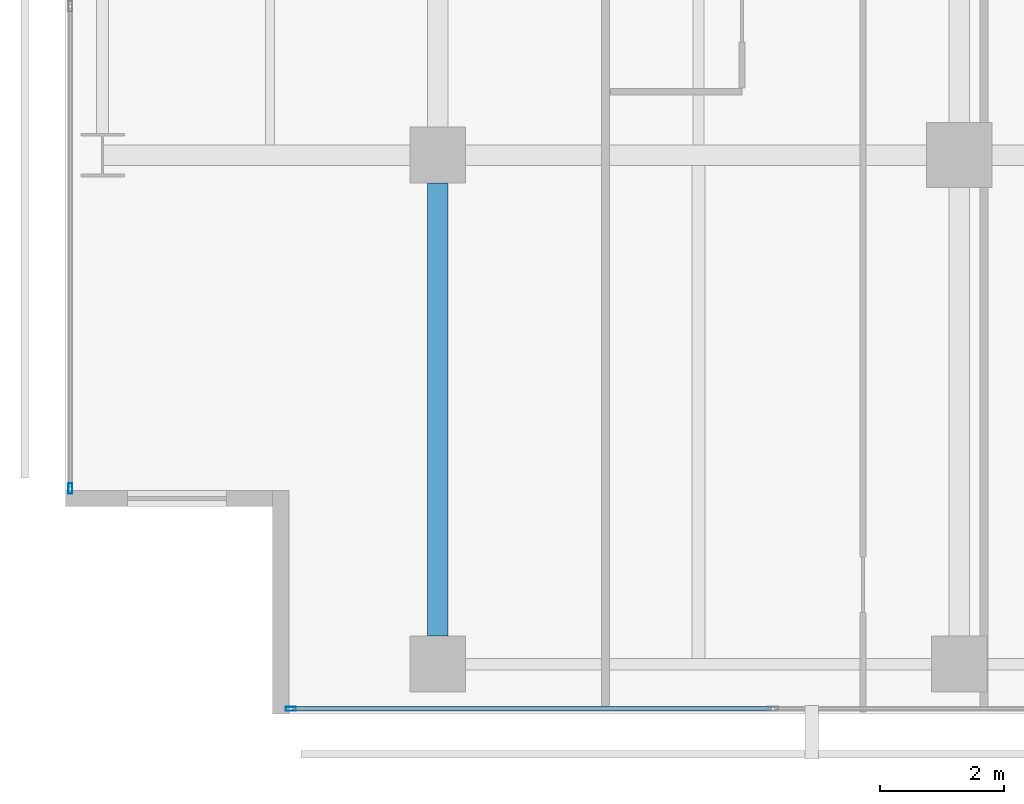
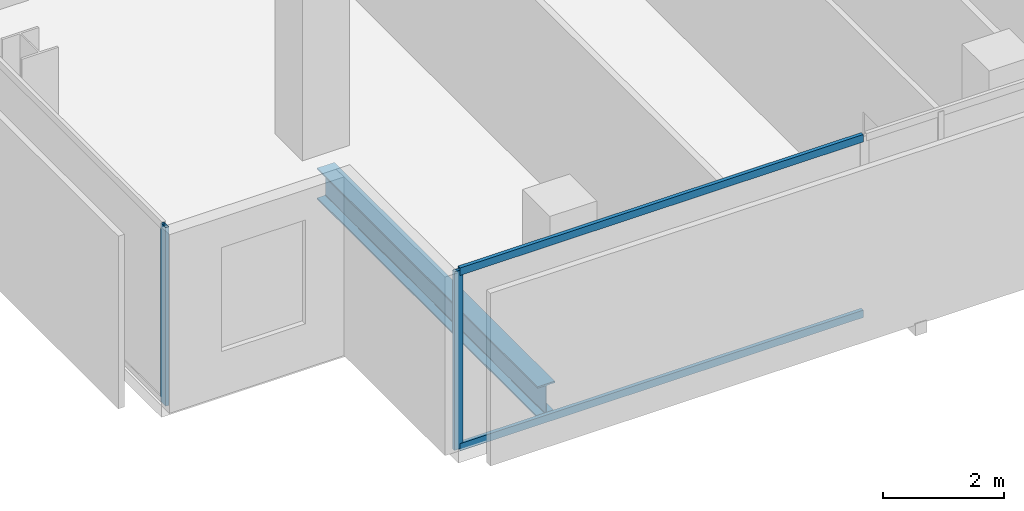
# One storey, part 2 of 40: 4 members, 1 beam, 2 elements without a shape of their own.
"""IFC4 building model written with IfcOpenShell, lengths in metres."""

from ifc_helpers import new_model, si_unit, direction, frame, origin, origin_2d, place, context, subcontext, project, spatial, hollow_rectangle, i_section, extrude, material, layer, layer_set, material_profile, profile_set, type_object, element, aggregate, save


model = new_model("IFC4")

# Units and contexts
model_context = context("Model", 3, precision=1e-05, world=origin(), true_north=direction((0.0, 1.0)))
body_context = subcontext(model_context, "Body", "Model", "MODEL_VIEW")
ifc_project = project(units=[si_unit("LENGTHUNIT", "METRE"), si_unit("AREAUNIT", "SQUARE_METRE"), si_unit("VOLUMEUNIT", "CUBIC_METRE"), si_unit("PLANEANGLEUNIT", "RADIAN"), si_unit("MASSUNIT", "GRAM", prefix="KILO")], contexts=[model_context])

# Site, building, storey
site_placement = place(None, origin())
site = spatial("IfcSite", under=ifc_project, at=site_placement, CompositionType="ELEMENT")
building_placement = place(site_placement, origin())
building = spatial("IfcBuilding", under=site, at=building_placement, Name="Maruvema Waterfront Hotel and Observation Tower", CompositionType="ELEMENT")
storey_placement = place(building_placement, frame((0.0, 0.0, 30.800048828125)))
storey = spatial("IfcBuildingStorey", under=building, at=storey_placement, Name="L06", CompositionType="ELEMENT", Elevation=30.800048828125)

# Curtain wall, members
ifc_material_1 = material(Name="Anodised bronze aluminium and solar-control low-E IGU", Category="aluminium")
ifc_layer = layer(ifc_material_1, 0.159912109375, Name="Zone 1 Bronze Inner Thermal Curtain Wall System CW-02")
ifc_layer_set = layer_set([ifc_layer], Name="Anodised bronze aluminium and solar-control low-E IGU")
curtain_wall_type = type_object("IfcCurtainWallType", Name="Zone 1 Bronze Inner Thermal Curtain Wall System CW-02", PredefinedType="USERDEFINED", material=ifc_layer_set)
curtain_wall_1_placement = place(storey_placement, origin())
curtain_wall_1 = element("IfcCurtainWall", 1, at=curtain_wall_1_placement, inside=storey, type_object=curtain_wall_type, Name="L06 Curtain Wall CW-L06-S", ObjectType="UNITISED CURTAIN WALL", PredefinedType="USERDEFINED")
ifc_material_2 = material(Name="Anodised architectural bronze aluminium", Category="aluminium")
ifc_material_profile_1 = material_profile(ifc_material_2, hollow_rectangle(XDim=0.070068359375, YDim=0.14990234375, WallThickness=0.00390625, at=origin_2d()), Name="ALU-T70x150")
ifc_profile_set_1 = profile_set([ifc_material_profile_1], Name="Anodised architectural bronze aluminium")
member_type_1 = type_object("IfcMemberType", Name="Curtain Wall Horizontal Transom ALU-T70x150", PredefinedType="USERDEFINED", material=ifc_profile_set_1)
member_1_placement = place(storey_placement, frame((14.4599609375, 0.080078125, 0.030029296875), z_axis=(1.0, 0.0, 0.0), x_axis=(0.0, 1.0, 0.0)))
member_1 = element("IfcMember", 2, at=member_1_placement, type_object=member_type_1, Name="CW-02 transom 1.1", ObjectType="TRANSOM", PredefinedType="USERDEFINED", context=body_context, shape_type="SweptSolid", body=[
    extrude(hollow_rectangle(XDim=0.070068359375, YDim=0.14990234375, WallThickness=0.00390625, at=origin_2d()), origin(), (0.0, 0.0, 1.0), 7.7099609375),
])
member_2_placement = place(storey_placement, frame((14.4599609375, 0.080078125, 3.579833984375), z_axis=(1.0, 0.0, 0.0), x_axis=(0.0, 1.0, 0.0)))
member_2 = element("IfcMember", 3, at=member_2_placement, type_object=member_type_1, Name="CW-02 transom 1.2", ObjectType="TRANSOM", PredefinedType="USERDEFINED", context=body_context, shape_type="SweptSolid", body=[
    extrude(hollow_rectangle(XDim=0.070068359375, YDim=0.14990234375, WallThickness=0.00390625, at=origin_2d()), origin(), (0.0, 0.0, 1.0), 7.7099609375),
])
ifc_material_3 = material(Name="Anodised architectural bronze aluminium", Category="aluminium")
ifc_material_profile_2 = material_profile(ifc_material_3, hollow_rectangle(XDim=0.06494140625, YDim=0.1650390625, WallThickness=0.00390625, at=origin_2d()), Name="ALU-M65x165")
ifc_profile_set_2 = profile_set([ifc_material_profile_2], Name="Anodised architectural bronze aluminium")
member_type_2 = type_object("IfcMemberType", Name="Curtain Wall Primary Mullion ALU-M65x165", PredefinedType="MULLION", material=ifc_profile_set_2)
member_3_placement = place(storey_placement, frame((14.429931640625, 0.080078125, 0.0), z_axis=(0.0, 0.0, 1.0), x_axis=(0.0, 1.0, 0.0)))
member_3 = element("IfcMember", 4, at=member_3_placement, type_object=member_type_2, Name="CW-02 mullion 1", PredefinedType="MULLION", context=body_context, shape_type="SweptSolid", body=[
    extrude(hollow_rectangle(XDim=0.06494140625, YDim=0.1650390625, WallThickness=0.00390625, at=origin_2d()), origin(), (0.0, 0.0, 1.0), 3.60986328125),
])
aggregate(curtain_wall_1, [member_3, member_1, member_2])

# Curtain wall, member
curtain_wall_2_placement = place(storey_placement, origin())
curtain_wall_2 = element("IfcCurtainWall", 5, at=curtain_wall_2_placement, inside=storey, type_object=curtain_wall_type, Name="L06 Curtain Wall CW-L06-W", ObjectType="UNITISED CURTAIN WALL", PredefinedType="USERDEFINED")
member_4_placement = place(storey_placement, frame((10.8798828125, 3.6298828125, 0.0), z_axis=(0.0, 0.0, 1.0), x_axis=(1.0, 0.0, 0.0)))
member_4 = element("IfcMember", 6, at=member_4_placement, type_object=member_type_2, Name="CW-02 mullion 7", PredefinedType="MULLION", context=body_context, shape_type="SweptSolid", body=[
    extrude(hollow_rectangle(XDim=0.06494140625, YDim=0.1650390625, WallThickness=0.00390625, at=origin_2d()), origin(), (0.0, 0.0, 1.0), 3.60986328125),
])
aggregate(curtain_wall_2, [member_4])

# Beam
ifc_material_4 = material(Name="Steel ASTM A572 Grade 50", Category="steel")
ifc_material_profile_3 = material_profile(ifc_material_4, i_section(OverallWidth=0.3291015625, OverallDepth=0.635009765625, WebThickness=0.017822265625, FlangeThickness=0.031005859375, FilletRadius=0.01806640625, at=origin_2d()), Name="W610x241.0")
ifc_profile_set_3 = profile_set([ifc_material_profile_3], Name="Steel ASTM A572 Grade 50")
beam_type = type_object("IfcBeamType", Name="Primary Floor Girder W610x241.0", PredefinedType="BEAM", material=ifc_profile_set_3)
beam_placement = place(storey_placement, frame((16.800048828125, 1.25, -0.5576171875), z_axis=(0.0, 1.0, 0.0), x_axis=(-1.0, 0.0, 0.0)))
element("IfcBeam", 7, at=beam_placement, inside=storey, type_object=beam_type, Name="L06 Floor Girder NS-05", PredefinedType="BEAM", context=body_context, shape_type="SweptSolid", body=[
    extrude(i_section(OverallWidth=0.3291015625, OverallDepth=0.635009765625, WebThickness=0.017822265625, FlangeThickness=0.031005859375, FilletRadius=0.01806640625, at=origin_2d()), origin(), (0.0, 0.0, 1.0), 7.300048828125),
])

save(model, "model.ifc")
